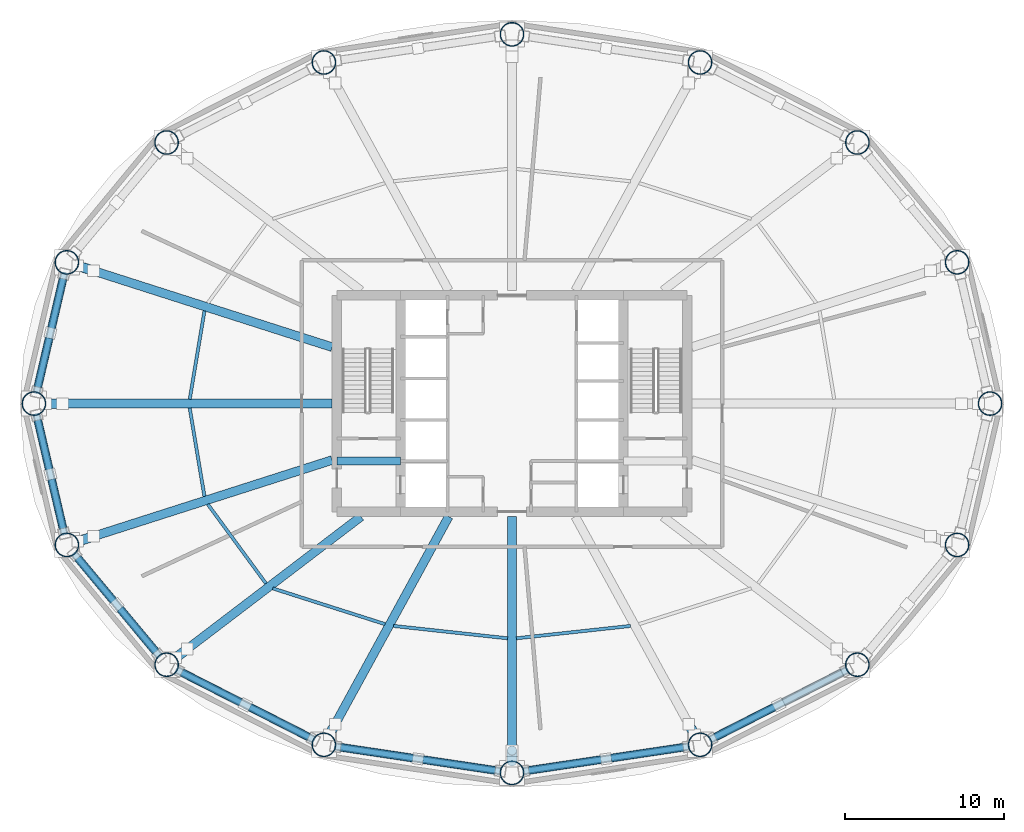
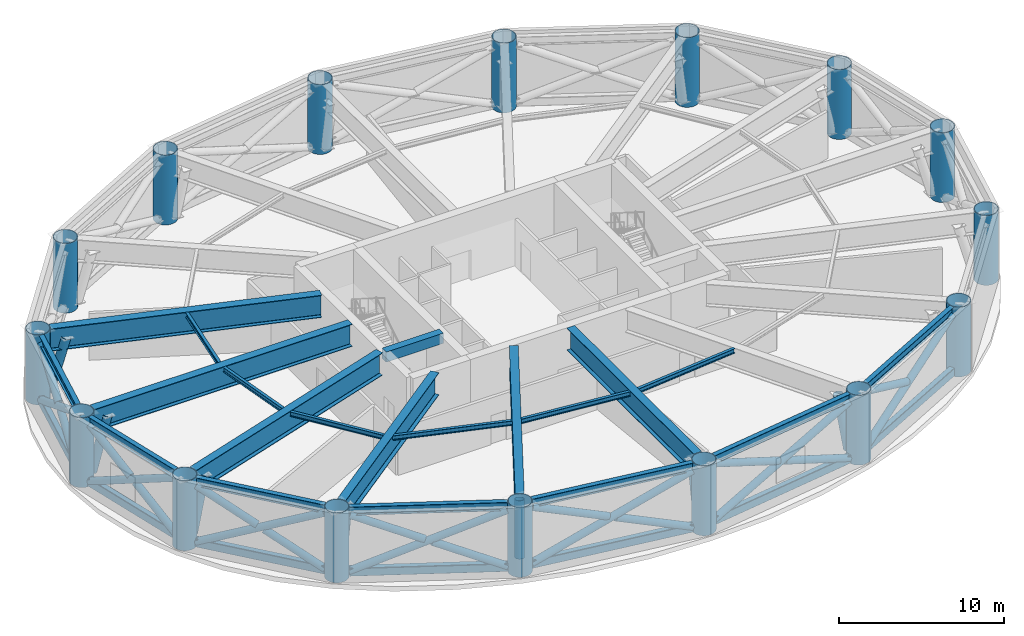
# One storey, part 1 of 7: 34 members, 20 beams, 16 columns.
"""IFC4 building model written with IfcOpenShell, lengths in metres."""

from ifc_helpers import new_model, si_unit, direction, frame, origin, origin_2d, place, context, subcontext, project, spatial, rectangle, hollow_rectangle, hollow_circle, i_section, extrude, material, material_profile, profile_set, type_object, element, save


model = new_model("IFC4")

# Units and contexts
model_context = context("Model", 3, precision=1e-05, world=origin(), true_north=direction((0.0, 1.0)))
body_context = subcontext(model_context, "Body", "Model", "MODEL_VIEW")
ifc_project = project(units=[si_unit("LENGTHUNIT", "METRE"), si_unit("AREAUNIT", "SQUARE_METRE"), si_unit("VOLUMEUNIT", "CUBIC_METRE"), si_unit("PLANEANGLEUNIT", "RADIAN"), si_unit("MASSUNIT", "GRAM", prefix="KILO")], contexts=[model_context])

# Site, building, storey
site_placement = place(None, origin())
site = spatial("IfcSite", under=ifc_project, at=site_placement, CompositionType="ELEMENT")
building_placement = place(site_placement, origin())
building = spatial("IfcBuilding", under=site, at=building_placement, Name="Sarneth Arch Tower", CompositionType="ELEMENT")
storey_placement = place(building_placement, frame((0.0, 0.0, 78.60009765625)))
storey = spatial("IfcBuildingStorey", under=building, at=storey_placement, Name="L19", CompositionType="ELEMENT", Elevation=78.60009765625)

# Columns
ifc_material_1 = material(Name="Steel S355", Category="steel")
ifc_material_profile_1 = material_profile(ifc_material_1, hollow_circle(Radius=0.75, WallThickness=0.0400390625, at=origin_2d()), Name="CHS1500x40")
ifc_profile_set_1 = profile_set([ifc_material_profile_1], Name="Steel S355")
column_type = type_object("IfcColumnType", Name="COL-MEGA-1500", PredefinedType="COLUMN", material=ifc_profile_set_1)
for number, where, z_axis, x_axis, name in (
    (1, (78.034912109375, 42.0, 0.0), (0.0, 0.0, 1.0), (1.0, 0.0, 0.0), "L19 Perimeter mega-column M01"),
    (2, (75.965576171875, 50.878173828125, 0.0), (0.0, 0.0, 1.0), (1.0, 0.0, 0.0), "L19 Perimeter mega-column M02"),
    (3, (69.696533203125, 58.40478515625, 0.0), (0.0, 0.0, 1.0), (1.0, 0.0, 0.0), "L19 Perimeter mega-column M03"),
    (4, (59.81787109375, 63.43408203125, 0.0), (0.0, 0.0, 1.0), (1.0, 0.0, 0.0), "L19 Perimeter mega-column M04"),
    (5, (48.0, 65.199951171875, 0.0), (0.0, 0.0, 1.0), (1.0, 0.0, 0.0), "L19 Perimeter mega-column M05"),
    (6, (36.18212890625, 63.43408203125, 0.0), (0.0, 0.0, 1.0), (1.0, 0.0, 0.0), "L19 Perimeter mega-column M06"),
    (7, (26.303466796875, 58.40478515625, 0.0), (0.0, 0.0, 1.0), (1.0, 0.0, 0.0), "L19 Perimeter mega-column M07"),
    (8, (20.034423828125, 50.878173828125, 0.0), (0.0, 0.0, 1.0), (1.0, 0.0, 0.0), "L19 Perimeter mega-column M08"),
    (9, (17.965087890625, 42.0, 0.0), (0.0, 0.0, 1.0), (1.0, 0.0, 0.0), "L19 Perimeter mega-column M09"),
    (10, (20.034423828125, 33.121826171875, 0.0), (0.0, 0.0, 1.0), (1.0, 0.0, 0.0), "L19 Perimeter mega-column M10"),
    (11, (26.303466796875, 25.59521484375, 0.0), (0.0, 0.0, 1.0), (1.0, 0.0, 0.0), "L19 Perimeter mega-column M11"),
    (12, (36.18212890625, 20.56591796875, 0.0), (0.0, 0.0, 1.0), (1.0, 0.0, 0.0), "L19 Perimeter mega-column M12"),
    (13, (48.0, 18.800048828125, 0.0), (0.0, 0.0, 1.0), (1.0, 0.0, 0.0), "L19 Perimeter mega-column M13"),
    (14, (59.81787109375, 20.56591796875, 0.0), (0.0, 0.0, 1.0), (1.0, 0.0, 0.0), "L19 Perimeter mega-column M14"),
    (15, (69.696533203125, 25.59521484375, 0.0), (0.0, 0.0, 1.0), (1.0, 0.0, 0.0), "L19 Perimeter mega-column M15"),
    (16, (75.965576171875, 33.121826171875, 0.0), (0.0, 0.0, 1.0), (1.0, 0.0, 0.0), "L19 Perimeter mega-column M16"),
):
    element("IfcColumn", number, at=place(storey_placement, frame(where, z_axis=z_axis, x_axis=x_axis)), inside=storey, type_object=column_type, Name=name, PredefinedType="COLUMN", context=body_context, shape_type="SweptSolid", body=[
        extrude(hollow_circle(Radius=0.75, WallThickness=0.0400390625, at=origin_2d()), origin(), (0.0, 0.0, 1.0), 5.14990234375),
    ])

# Beams
ifc_material_2 = material(Name="Steel S355", Category="steel")
ifc_material_profile_2 = material_profile(ifc_material_2, i_section(OverallWidth=0.202880859375, OverallDepth=0.346923828125, WebThickness=0.0078125, FlangeThickness=0.013427734375, FilletRadius=0.014892578125, at=origin_2d()), Name="W360x64")
ifc_profile_set_2 = profile_set([ifc_material_profile_2], Name="Steel S355")
beam_type_1 = type_object("IfcBeamType", Name="BM-JOIST-360C", PredefinedType="JOIST", material=ifc_profile_set_2)
for number, where, z_axis, x_axis, name in (
    (17, (28.67919921875, 47.826416015625, 4.976318359375), (-0.164469283922, -0.986382205155, 0.0), (0.986382205155, -0.164469283922, 0.0), "L19 Secondary floor joist 08"),
    (18, (27.7529296875, 41.728759765625, 4.976318359375), (0.164469283922, -0.986382205155, 0.0), (0.986382205155, 0.164469283922, 0.0), "L19 Secondary floor joist 09"),
):
    element("IfcBeam", number, at=place(storey_placement, frame(where, z_axis=z_axis, x_axis=x_axis)), inside=storey, type_object=beam_type_1, Name=name, PredefinedType="JOIST", context=body_context, shape_type="SweptSolid", body=[
        extrude(i_section(OverallWidth=0.202880859375, OverallDepth=0.346923828125, WebThickness=0.0078125, FlangeThickness=0.013427734375, FilletRadius=0.014892578125, at=origin_2d()), origin(), (0.0, 0.0, 1.0), 5.6318359375),
    ])
beam_1_placement = place(storey_placement, frame((28.886962890625, 35.6806640625, 4.976318359375), z_axis=(0.59154342723, -0.806273138397, 0.0), x_axis=(0.806273138397, 0.59154342723, 0.0)))
element("IfcBeam", 19, at=beam_1_placement, inside=storey, type_object=beam_type_1, Name="L19 Secondary floor joist 10", PredefinedType="JOIST", context=body_context, shape_type="SweptSolid", body=[
    extrude(i_section(OverallWidth=0.202880859375, OverallDepth=0.346923828125, WebThickness=0.0078125, FlangeThickness=0.013427734375, FilletRadius=0.014892578125, at=origin_2d()), origin(), (0.0, 0.0, 1.0), 6.181640625),
])
beam_2_placement = place(storey_placement, frame((32.968505859375, 30.391357421875, 4.976318359375), z_axis=(0.952846465824, -0.303452817695, 0.0), x_axis=(0.303452817695, 0.952846465824, 0.0)))
element("IfcBeam", 20, at=beam_2_placement, inside=storey, type_object=beam_type_1, Name="L19 Secondary floor joist 11", PredefinedType="JOIST", context=body_context, shape_type="SweptSolid", body=[
    extrude(i_section(OverallWidth=0.202880859375, OverallDepth=0.346923828125, WebThickness=0.0078125, FlangeThickness=0.013427734375, FilletRadius=0.014892578125, at=origin_2d()), origin(), (0.0, 0.0, 1.0), 7.40087890625),
])
for number, where, z_axis, x_axis, name in (
    (21, (40.55615234375, 28.0322265625, 4.976318359375), (0.994171309858, -0.107811904048, 0.0), (0.107811904048, 0.994171309858, 0.0), "L19 Secondary floor joist 12"),
    (22, (48.2734375, 27.254638671875, 4.976318359375), (0.994171309858, 0.107811904048, 0.0), (-0.107811904048, 0.994171309858, 0.0), "L19 Secondary floor joist 13"),
):
    element("IfcBeam", number, at=place(storey_placement, frame(where, z_axis=z_axis, x_axis=x_axis)), inside=storey, type_object=beam_type_1, Name=name, PredefinedType="JOIST", context=body_context, shape_type="SweptSolid", body=[
        extrude(i_section(OverallWidth=0.202880859375, OverallDepth=0.346923828125, WebThickness=0.0078125, FlangeThickness=0.013427734375, FilletRadius=0.014892578125, at=origin_2d()), origin(), (0.0, 0.0, 1.0), 7.21240234375),
    ])
ifc_material_3 = material(Name="Concrete C50/60", Category="concrete")
ifc_material_profile_3 = material_profile(ifc_material_3, rectangle(XDim=0.5, YDim=0.75, at=origin_2d()), Name="RC-500x750")
ifc_profile_set_3 = profile_set([ifc_material_profile_3], Name="Concrete C50/60")
beam_type_2 = type_object("IfcBeamType", Name="BM-LINTEL-RC", PredefinedType="LINTEL", material=ifc_profile_set_3)
beam_3_placement = place(storey_placement, frame((37.0, 38.39990234375, 4.77490234375), z_axis=(1.0, 0.0, 0.0), x_axis=(0.0, 1.0, 0.0)))
element("IfcBeam", 23, at=beam_3_placement, inside=storey, type_object=beam_type_2, Name="L19 Core coupling lintel W", PredefinedType="LINTEL", context=body_context, shape_type="SweptSolid", body=[
    extrude(rectangle(XDim=0.5, YDim=0.75, at=origin_2d()), origin(), (0.0, 0.0, 1.0), 4.0),
])
ifc_material_4 = material(Name="Steel S355", Category="steel")
ifc_material_profile_4 = material_profile(ifc_material_4, i_section(OverallWidth=0.326904296875, OverallDepth=0.6220703125, WebThickness=0.015380859375, FlangeThickness=0.0244140625, FilletRadius=0.01904296875, at=origin_2d()), Name="W610x195")
ifc_profile_set_4 = profile_set([ifc_material_profile_4], Name="Steel S355")
beam_type_3 = type_object("IfcBeamType", Name="BM-SPAN-610A", PredefinedType="SPANDREL", material=ifc_profile_set_4)
for number, where, z_axis, x_axis, name in (
    (24, (19.8642578125, 50.14794921875, 4.8388671875), (-0.226982354826, -0.973898870827, 0.0), (0.973898870827, -0.226982354826, 0.0), "L19 Perimeter spandrel beam 08"),
    (25, (18.135498046875, 41.26953125, 4.8388671875), (0.226982354826, -0.973898870827, 0.0), (0.973898870827, 0.226982354826, 0.0), "L19 Perimeter spandrel beam 09"),
):
    element("IfcBeam", number, at=place(storey_placement, frame(where, z_axis=z_axis, x_axis=x_axis)), inside=storey, type_object=beam_type_3, Name=name, PredefinedType="SPANDREL", context=body_context, shape_type="SweptSolid", body=[
        extrude(i_section(OverallWidth=0.326904296875, OverallDepth=0.6220703125, WebThickness=0.015380859375, FlangeThickness=0.0244140625, FilletRadius=0.01904296875, at=origin_2d()), origin(), (0.0, 0.0, 1.0), 7.6162109375),
    ])
beam_4_placement = place(storey_placement, frame((20.514404296875, 32.54541015625, 4.8388671875), z_axis=(0.639981736251, -0.768390120489, 0.0), x_axis=(0.768390120489, 0.639981736251, 0.0)))
element("IfcBeam", 26, at=beam_4_placement, inside=storey, type_object=beam_type_3, Name="L19 Perimeter spandrel beam 10", PredefinedType="SPANDREL", context=body_context, shape_type="SweptSolid", body=[
    extrude(i_section(OverallWidth=0.326904296875, OverallDepth=0.6220703125, WebThickness=0.015380859375, FlangeThickness=0.0244140625, FilletRadius=0.01904296875, at=origin_2d()), origin(), (0.0, 0.0, 1.0), 8.29541015625),
])
beam_5_placement = place(storey_placement, frame((26.9716796875, 25.2548828125, 4.8388671875), z_axis=(0.891169106887, -0.453671271882, 0.0), x_axis=(0.453671271882, 0.891169106887, 0.0)))
element("IfcBeam", 27, at=beam_5_placement, inside=storey, type_object=beam_type_3, Name="L19 Perimeter spandrel beam 11", PredefinedType="SPANDREL", context=body_context, shape_type="SweptSolid", body=[
    extrude(i_section(OverallWidth=0.326904296875, OverallDepth=0.6220703125, WebThickness=0.015380859375, FlangeThickness=0.0244140625, FilletRadius=0.01904296875, at=origin_2d()), origin(), (0.0, 0.0, 1.0), 9.58544921875),
])
for number, where, z_axis, x_axis, name in (
    (28, (36.923828125, 20.455078125, 4.8388671875), (0.989020169581, -0.147780594675, 0.0), (0.147780594675, 0.989020169581, 0.0), "L19 Perimeter spandrel beam 12"),
    (29, (48.74169921875, 18.910888671875, 4.8388671875), (0.989020169581, 0.147780594675, 0.0), (-0.147780594675, 0.989020169581, 0.0), "L19 Perimeter spandrel beam 13"),
):
    element("IfcBeam", number, at=place(storey_placement, frame(where, z_axis=z_axis, x_axis=x_axis)), inside=storey, type_object=beam_type_3, Name=name, PredefinedType="SPANDREL", context=body_context, shape_type="SweptSolid", body=[
        extrude(i_section(OverallWidth=0.326904296875, OverallDepth=0.6220703125, WebThickness=0.015380859375, FlangeThickness=0.0244140625, FilletRadius=0.01904296875, at=origin_2d()), origin(), (0.0, 0.0, 1.0), 10.44921875),
    ])
beam_6_placement = place(storey_placement, frame((60.486083984375, 20.90625, 4.8388671875), z_axis=(0.891169106887, 0.453671271882, 0.0), x_axis=(-0.453671271882, 0.891169106887, 0.0)))
element("IfcBeam", 30, at=beam_6_placement, inside=storey, type_object=beam_type_3, Name="L19 Perimeter spandrel beam 14", PredefinedType="SPANDREL", context=body_context, shape_type="SweptSolid", body=[
    extrude(i_section(OverallWidth=0.326904296875, OverallDepth=0.6220703125, WebThickness=0.015380859375, FlangeThickness=0.0244140625, FilletRadius=0.01904296875, at=origin_2d()), origin(), (0.0, 0.0, 1.0), 9.58544921875),
])
ifc_material_5 = material(Name="Steel S355", Category="steel")
ifc_material_profile_5 = material_profile(ifc_material_5, i_section(OverallWidth=0.550048828125, OverallDepth=1.64990234375, WebThickness=0.02197265625, FlangeThickness=0.0380859375, FilletRadius=0.02392578125, at=origin_2d()), Name="CVS1650x680")
ifc_profile_set_5 = profile_set([ifc_material_profile_5], Name="Steel S355")
beam_type_4 = type_object("IfcBeamType", Name="BM-XFER-1650", PredefinedType="BEAM", material=ifc_profile_set_5)
beam_7_placement = place(storey_placement, frame((36.699951171875, 45.54541015625, 4.324951171875), z_axis=(-0.952426347531, 0.304768850983, 0.0), x_axis=(-0.304768850983, -0.952426347531, 0.0)))
element("IfcBeam", 31, at=beam_7_placement, inside=storey, type_object=beam_type_4, Name="L19 Step-taper transfer girder 08", PredefinedType="BEAM", context=body_context, shape_type="SweptSolid", body=[
    extrude(i_section(OverallWidth=0.550048828125, OverallDepth=1.64990234375, WebThickness=0.02197265625, FlangeThickness=0.0380859375, FilletRadius=0.02392578125, at=origin_2d()), origin(), (0.0, 0.0, 1.0), 16.748046875),
])
beam_8_placement = place(storey_placement, frame((36.699951171875, 42.0, 4.324951171875), z_axis=(-1.0, 0.0, 0.0), x_axis=(0.0, -1.0, 0.0)))
element("IfcBeam", 32, at=beam_8_placement, inside=storey, type_object=beam_type_4, Name="L19 Step-taper transfer girder 09", PredefinedType="BEAM", context=body_context, shape_type="SweptSolid", body=[
    extrude(i_section(OverallWidth=0.550048828125, OverallDepth=1.64990234375, WebThickness=0.02197265625, FlangeThickness=0.0380859375, FilletRadius=0.02392578125, at=origin_2d()), origin(), (0.0, 0.0, 1.0), 17.98486328125),
])
beam_9_placement = place(storey_placement, frame((36.699951171875, 38.45458984375, 4.324951171875), z_axis=(-0.952426347531, -0.304768850983, 0.0), x_axis=(0.304768850983, -0.952426347531, 0.0)))
element("IfcBeam", 33, at=beam_9_placement, inside=storey, type_object=beam_type_4, Name="L19 Step-taper transfer girder 10", PredefinedType="BEAM", context=body_context, shape_type="SweptSolid", body=[
    extrude(i_section(OverallWidth=0.550048828125, OverallDepth=1.64990234375, WebThickness=0.02197265625, FlangeThickness=0.0380859375, FilletRadius=0.02392578125, at=origin_2d()), origin(), (0.0, 0.0, 1.0), 16.748046875),
])
beam_10_placement = place(storey_placement, frame((38.512939453125, 34.89990234375, 4.324951171875), z_axis=(-0.79536339196, -0.606132885373, 0.0), x_axis=(0.606132885373, -0.79536339196, 0.0)))
element("IfcBeam", 34, at=beam_10_placement, inside=storey, type_object=beam_type_4, Name="L19 Step-taper transfer girder 11", PredefinedType="BEAM", context=body_context, shape_type="SweptSolid", body=[
    extrude(i_section(OverallWidth=0.550048828125, OverallDepth=1.64990234375, WebThickness=0.02197265625, FlangeThickness=0.0380859375, FilletRadius=0.02392578125, at=origin_2d()), origin(), (0.0, 0.0, 1.0), 14.600830078125),
])
beam_11_placement = place(storey_placement, frame((44.023193359375, 34.89990234375, 4.324951171875), z_axis=(-0.479917263034, -0.87731375268, 0.0), x_axis=(0.87731375268, -0.479917263034, 0.0)))
element("IfcBeam", 35, at=beam_11_placement, inside=storey, type_object=beam_type_4, Name="L19 Step-taper transfer girder 12", PredefinedType="BEAM", context=body_context, shape_type="SweptSolid", body=[
    extrude(i_section(OverallWidth=0.550048828125, OverallDepth=1.64990234375, WebThickness=0.02197265625, FlangeThickness=0.0380859375, FilletRadius=0.02392578125, at=origin_2d()), origin(), (0.0, 0.0, 1.0), 15.588623046875),
])
beam_12_placement = place(storey_placement, frame((48.0, 34.89990234375, 4.324951171875), z_axis=(0.0, -1.0, 0.0), x_axis=(1.0, 0.0, 0.0)))
element("IfcBeam", 36, at=beam_12_placement, inside=storey, type_object=beam_type_4, Name="L19 Step-taper transfer girder 13", PredefinedType="BEAM", context=body_context, shape_type="SweptSolid", body=[
    extrude(i_section(OverallWidth=0.550048828125, OverallDepth=1.64990234375, WebThickness=0.02197265625, FlangeThickness=0.0380859375, FilletRadius=0.02392578125, at=origin_2d()), origin(), (0.0, 0.0, 1.0), 15.349853515625),
])

# Members
ifc_material_6 = material(Name="Steel S355", Category="steel")
ifc_material_profile_6 = material_profile(ifc_material_6, hollow_rectangle(XDim=0.39990234375, YDim=0.60009765625, WallThickness=0.02197265625, InnerFilletRadius=0.032958984375, OuterFilletRadius=0.054931640625, at=origin_2d()), Name="RHS600x400x22")
ifc_profile_set_6 = profile_set([ifc_material_profile_6], Name="Steel S355")
member_type_1 = type_object("IfcMemberType", Name="MEM-BELT-CHORD", PredefinedType="CHORD", material=ifc_profile_set_6)
for number, where, z_axis, x_axis, name in (
    (37, (19.8642578125, 50.14794921875, 0.349853515625), (-0.226982354826, -0.973898870827, 0.0), (0.973898870827, -0.226982354826, 0.0), "L19 Ring belt bottom chord 08"),
    (38, (18.135498046875, 41.26953125, 0.349853515625), (0.226982354826, -0.973898870827, 0.0), (0.973898870827, 0.226982354826, 0.0), "L19 Ring belt bottom chord 09"),
):
    element("IfcMember", number, at=place(storey_placement, frame(where, z_axis=z_axis, x_axis=x_axis)), inside=storey, type_object=member_type_1, Name=name, PredefinedType="CHORD", context=body_context, shape_type="SweptSolid", body=[
        extrude(hollow_rectangle(XDim=0.39990234375, YDim=0.60009765625, WallThickness=0.02197265625, InnerFilletRadius=0.032958984375, OuterFilletRadius=0.054931640625, at=origin_2d()), origin(), (0.0, 0.0, 1.0), 7.6162109375),
    ])
member_1_placement = place(storey_placement, frame((20.514404296875, 32.54541015625, 0.349853515625), z_axis=(0.639981736251, -0.768390120489, 0.0), x_axis=(0.768390120489, 0.639981736251, 0.0)))
element("IfcMember", 39, at=member_1_placement, inside=storey, type_object=member_type_1, Name="L19 Ring belt bottom chord 10", PredefinedType="CHORD", context=body_context, shape_type="SweptSolid", body=[
    extrude(hollow_rectangle(XDim=0.39990234375, YDim=0.60009765625, WallThickness=0.02197265625, InnerFilletRadius=0.032958984375, OuterFilletRadius=0.054931640625, at=origin_2d()), origin(), (0.0, 0.0, 1.0), 8.29541015625),
])
member_2_placement = place(storey_placement, frame((26.9716796875, 25.2548828125, 0.349853515625), z_axis=(0.891169106887, -0.453671271882, 0.0), x_axis=(0.453671271882, 0.891169106887, 0.0)))
element("IfcMember", 40, at=member_2_placement, inside=storey, type_object=member_type_1, Name="L19 Ring belt bottom chord 11", PredefinedType="CHORD", context=body_context, shape_type="SweptSolid", body=[
    extrude(hollow_rectangle(XDim=0.39990234375, YDim=0.60009765625, WallThickness=0.02197265625, InnerFilletRadius=0.032958984375, OuterFilletRadius=0.054931640625, at=origin_2d()), origin(), (0.0, 0.0, 1.0), 9.58544921875),
])
for number, where, z_axis, x_axis, name in (
    (41, (36.923828125, 20.455078125, 0.349853515625), (0.989020169581, -0.147780594675, 0.0), (0.147780594675, 0.989020169581, 0.0), "L19 Ring belt bottom chord 12"),
    (42, (48.74169921875, 18.910888671875, 0.349853515625), (0.989020169581, 0.147780594675, 0.0), (-0.147780594675, 0.989020169581, 0.0), "L19 Ring belt bottom chord 13"),
):
    element("IfcMember", number, at=place(storey_placement, frame(where, z_axis=z_axis, x_axis=x_axis)), inside=storey, type_object=member_type_1, Name=name, PredefinedType="CHORD", context=body_context, shape_type="SweptSolid", body=[
        extrude(hollow_rectangle(XDim=0.39990234375, YDim=0.60009765625, WallThickness=0.02197265625, InnerFilletRadius=0.032958984375, OuterFilletRadius=0.054931640625, at=origin_2d()), origin(), (0.0, 0.0, 1.0), 10.44921875),
    ])
member_3_placement = place(storey_placement, frame((60.486083984375, 20.90625, 0.349853515625), z_axis=(0.891169106887, 0.453671271882, 0.0), x_axis=(-0.453671271882, 0.891169106887, 0.0)))
element("IfcMember", 43, at=member_3_placement, inside=storey, type_object=member_type_1, Name="L19 Ring belt bottom chord 14", PredefinedType="CHORD", context=body_context, shape_type="SweptSolid", body=[
    extrude(hollow_rectangle(XDim=0.39990234375, YDim=0.60009765625, WallThickness=0.02197265625, InnerFilletRadius=0.032958984375, OuterFilletRadius=0.054931640625, at=origin_2d()), origin(), (0.0, 0.0, 1.0), 9.58544921875),
])
ifc_material_7 = material(Name="Steel S355", Category="steel")
ifc_material_profile_7 = material_profile(ifc_material_7, hollow_circle(Radius=0.304931640625, WallThickness=0.02001953125, at=origin_2d()), Name="CHS610x20")
ifc_profile_set_7 = profile_set([ifc_material_profile_7], Name="Steel S355")
member_type_2 = type_object("IfcMemberType", Name="MEM-BELT-DIAG1", PredefinedType="BRACE", material=ifc_profile_set_7)
member_4_placement = place(storey_placement, frame((20.729736328125, 50.65576171875, 0.449951171875), z_axis=(0.249154199908, -0.079716917327, 0.965177391861), x_axis=(0.304732636136, 0.952437935234, 0.0)))
element("IfcMember", 44, at=member_4_placement, inside=storey, type_object=member_type_2, Name="L19 Step-taper inclined transfer strut 08", PredefinedType="BRACE", context=body_context, shape_type="SweptSolid", body=[
    extrude(hollow_circle(Radius=0.304931640625, WallThickness=0.02001953125, at=origin_2d()), origin(), (0.0, 0.0, 1.0), 3.92919921875),
])
member_5_placement = place(storey_placement, frame((18.6953125, 42.0, 0.449951171875), z_axis=(0.271093680651, 0.0, 0.962552968055), x_axis=(0.0, 1.0, 0.0)))
element("IfcMember", 45, at=member_5_placement, inside=storey, type_object=member_type_2, Name="L19 Step-taper inclined transfer strut 09", PredefinedType="BRACE", context=body_context, shape_type="SweptSolid", body=[
    extrude(hollow_circle(Radius=0.304931640625, WallThickness=0.02001953125, at=origin_2d()), origin(), (0.0, 0.0, 1.0), 3.93994140625),
])
member_6_placement = place(storey_placement, frame((20.729736328125, 33.34423828125, 0.449951171875), z_axis=(0.249154199908, 0.079716917327, 0.965177391861), x_axis=(-0.304732636136, 0.952437935234, 0.0)))
element("IfcMember", 46, at=member_6_placement, inside=storey, type_object=member_type_2, Name="L19 Step-taper inclined transfer strut 10", PredefinedType="BRACE", context=body_context, shape_type="SweptSolid", body=[
    extrude(hollow_circle(Radius=0.304931640625, WallThickness=0.02001953125, at=origin_2d()), origin(), (0.0, 0.0, 1.0), 3.92919921875),
])
member_7_placement = place(storey_placement, frame((26.884033203125, 26.03759765625, 0.449951171875), z_axis=(0.184239852461, 0.140403041882, 0.972801450757), x_axis=(-0.60612466617, 0.795369655607, 0.0)))
element("IfcMember", 47, at=member_7_placement, inside=storey, type_object=member_type_2, Name="L19 Step-taper inclined transfer strut 11", PredefinedType="BRACE", context=body_context, shape_type="SweptSolid", body=[
    extrude(hollow_circle(Radius=0.304931640625, WallThickness=0.02001953125, at=origin_2d()), origin(), (0.0, 0.0, 1.0), 3.8984375),
])
member_8_placement = place(storey_placement, frame((36.532470703125, 21.20654296875, 0.449951171875), z_axis=(0.092418184178, 0.16891744668, 0.981287814782), x_axis=(-0.877280487813, 0.479978067939, 0.0)))
element("IfcMember", 48, at=member_8_placement, inside=storey, type_object=member_type_2, Name="L19 Step-taper inclined transfer strut 12", PredefinedType="BRACE", context=body_context, shape_type="SweptSolid", body=[
    extrude(hollow_circle(Radius=0.304931640625, WallThickness=0.02001953125, at=origin_2d()), origin(), (0.0, 0.0, 1.0), 3.86474609375),
])
member_9_placement = place(storey_placement, frame((48.0, 19.530029296875, 0.449951171875), z_axis=(0.0, 0.17395168611, 0.984754188059), x_axis=(-1.0, 0.0, 0.0)))
element("IfcMember", 49, at=member_9_placement, inside=storey, type_object=member_type_2, Name="L19 Step-taper inclined transfer strut 13", PredefinedType="BRACE", context=body_context, shape_type="SweptSolid", body=[
    extrude(hollow_circle(Radius=0.304931640625, WallThickness=0.02001953125, at=origin_2d()), origin(), (0.0, 0.0, 1.0), 3.85107421875),
])
member_10_placement = place(storey_placement, frame((59.467529296875, 21.20654296875, 0.449951171875), z_axis=(-0.092418184178, 0.16891744668, 0.981287814782), x_axis=(-0.877280487813, -0.479978067939, 0.0)))
element("IfcMember", 50, at=member_10_placement, inside=storey, type_object=member_type_2, Name="L19 Step-taper inclined transfer strut 14", PredefinedType="BRACE", context=body_context, shape_type="SweptSolid", body=[
    extrude(hollow_circle(Radius=0.304931640625, WallThickness=0.02001953125, at=origin_2d()), origin(), (0.0, 0.0, 1.0), 3.86474609375),
])
ifc_material_8 = material(Name="Steel S355", Category="steel")
ifc_material_profile_8 = material_profile(ifc_material_8, hollow_circle(Radius=0.25390625, WallThickness=0.01611328125, at=origin_2d()), Name="CHS508x16")
ifc_profile_set_8 = profile_set([ifc_material_profile_8], Name="Steel S355")
member_type_3 = type_object("IfcMemberType", Name="MEM-BELT-DIAG2", PredefinedType="BRACE", material=ifc_profile_set_8)
member_11_placement = place(storey_placement, frame((19.8642578125, 50.14794921875, 0.349853515625), z_axis=(-0.19922689821, -0.854810284057, 0.47917431202), x_axis=(0.973898870827, -0.226982354826, 0.0)))
element("IfcMember", 51, at=member_11_placement, inside=storey, type_object=member_type_3, Name="L19 Ring belt continuous diagonal A08", PredefinedType="BRACE", context=body_context, shape_type="SweptSolid", body=[
    extrude(hollow_circle(Radius=0.25390625, WallThickness=0.01611328125, at=origin_2d()), origin(), (0.0, 0.0, 1.0), 8.67724609375),
])
member_12_placement = place(storey_placement, frame((18.135498046875, 42.73046875, 0.349853515625), z_axis=(0.199204566921, 0.854800172505, 0.479201633556), x_axis=(-0.973903901379, 0.226960769473, 0.0)))
element("IfcMember", 52, at=member_12_placement, inside=storey, type_object=member_type_3, Name="L19 Ring belt split diagonal B1-08", PredefinedType="BRACE", context=body_context, shape_type="SweptSolid", body=[
    extrude(hollow_circle(Radius=0.25390625, WallThickness=0.01611328125, at=origin_2d()), origin(), (0.0, 0.0, 1.0), 4.088623046875),
])
member_13_placement = place(storey_placement, frame((19.049560546875, 46.65283203125, 2.548583984375), z_axis=(0.199251739616, 0.854806084608, 0.479171474503), x_axis=(-0.973892367511, 0.227010256383, 0.0)))
element("IfcMember", 53, at=member_13_placement, inside=storey, type_object=member_type_3, Name="L19 Ring belt split diagonal B2-08", PredefinedType="BRACE", context=body_context, shape_type="SweptSolid", body=[
    extrude(hollow_circle(Radius=0.25390625, WallThickness=0.01611328125, at=origin_2d()), origin(), (0.0, 0.0, 1.0), 4.0888671875),
])
member_14_placement = place(storey_placement, frame((18.135498046875, 41.26953125, 0.349853515625), z_axis=(0.19922689821, -0.854810284057, 0.47917431202), x_axis=(0.973898870827, 0.226982354826, 0.0)))
element("IfcMember", 54, at=member_14_placement, inside=storey, type_object=member_type_3, Name="L19 Ring belt continuous diagonal A09", PredefinedType="BRACE", context=body_context, shape_type="SweptSolid", body=[
    extrude(hollow_circle(Radius=0.25390625, WallThickness=0.01611328125, at=origin_2d()), origin(), (0.0, 0.0, 1.0), 8.67724609375),
])
member_15_placement = place(storey_placement, frame((19.8642578125, 33.85205078125, 0.349853515625), z_axis=(-0.199251739616, 0.854806084608, 0.479171474503), x_axis=(-0.973892367511, -0.227010256383, 0.0)))
element("IfcMember", 55, at=member_15_placement, inside=storey, type_object=member_type_3, Name="L19 Ring belt split diagonal B1-09", PredefinedType="BRACE", context=body_context, shape_type="SweptSolid", body=[
    extrude(hollow_circle(Radius=0.25390625, WallThickness=0.01611328125, at=origin_2d()), origin(), (0.0, 0.0, 1.0), 4.0888671875),
])
member_16_placement = place(storey_placement, frame((18.949951171875, 37.774658203125, 2.548583984375), z_axis=(-0.199204566921, 0.854800172505, 0.479201633556), x_axis=(-0.973903901379, -0.226960769473, 0.0)))
element("IfcMember", 56, at=member_16_placement, inside=storey, type_object=member_type_3, Name="L19 Ring belt split diagonal B2-09", PredefinedType="BRACE", context=body_context, shape_type="SweptSolid", body=[
    extrude(hollow_circle(Radius=0.25390625, WallThickness=0.01611328125, at=origin_2d()), origin(), (0.0, 0.0, 1.0), 4.088623046875),
])
member_17_placement = place(storey_placement, frame((20.514404296875, 32.54541015625, 0.349853515625), z_axis=(0.572132320621, -0.686927138504, 0.448102347781), x_axis=(0.768390120489, 0.639981736251, 0.0)))
element("IfcMember", 57, at=member_17_placement, inside=storey, type_object=member_type_3, Name="L19 Ring belt continuous diagonal A10", PredefinedType="BRACE", context=body_context, shape_type="SweptSolid", body=[
    extrude(hollow_circle(Radius=0.25390625, WallThickness=0.01611328125, at=origin_2d()), origin(), (0.0, 0.0, 1.0), 9.279052734375),
])
member_18_placement = place(storey_placement, frame((25.8232421875, 26.17138671875, 0.349853515625), z_axis=(-0.57209438266, 0.686947085381, 0.448120206211), x_axis=(-0.768420127231, -0.639945707124, 0.0)))
element("IfcMember", 58, at=member_18_placement, inside=storey, type_object=member_type_3, Name="L19 Ring belt split diagonal B1-10", PredefinedType="BRACE", context=body_context, shape_type="SweptSolid", body=[
    extrude(hollow_circle(Radius=0.25390625, WallThickness=0.01611328125, at=origin_2d()), origin(), (0.0, 0.0, 1.0), 4.3896484375),
])
member_19_placement = place(storey_placement, frame((23.02587890625, 29.5302734375, 2.541015625), z_axis=(-0.572167914661, 0.686912972301, 0.448078615778), x_axis=(-0.768364050648, -0.640013035548, 0.0)))
element("IfcMember", 59, at=member_19_placement, inside=storey, type_object=member_type_3, Name="L19 Ring belt split diagonal B2-10", PredefinedType="BRACE", context=body_context, shape_type="SweptSolid", body=[
    extrude(hollow_circle(Radius=0.25390625, WallThickness=0.01611328125, at=origin_2d()), origin(), (0.0, 0.0, 1.0), 4.389404296875),
])
member_20_placement = place(storey_placement, frame((26.9716796875, 25.2548828125, 0.349853515625), z_axis=(0.817564175755, -0.416200894525, 0.397951798487), x_axis=(0.453671271882, 0.891169106887, 0.0)))
element("IfcMember", 60, at=member_20_placement, inside=storey, type_object=member_type_3, Name="L19 Ring belt continuous diagonal A11", PredefinedType="BRACE", context=body_context, shape_type="SweptSolid", body=[
    extrude(hollow_circle(Radius=0.25390625, WallThickness=0.01611328125, at=origin_2d()), origin(), (0.0, 0.0, 1.0), 10.448486328125),
])
for number, where, z_axis, x_axis, name in (
    (61, (35.513916015625, 20.90625, 0.349853515625), (-0.817555850033, 0.416213820513, 0.397955384047), (-0.453686130759, -0.891161542459, 0.0), "L19 Ring belt split diagonal B1-11"),
    (62, (31.038330078125, 23.1845703125, 2.5283203125), (-0.817555850033, 0.416213820513, 0.397955384047), (-0.453686130759, -0.891161542459, 0.0), "L19 Ring belt split diagonal B2-11"),
):
    element("IfcMember", number, at=place(storey_placement, frame(where, z_axis=z_axis, x_axis=x_axis)), inside=storey, type_object=member_type_3, Name=name, PredefinedType="BRACE", context=body_context, shape_type="SweptSolid", body=[
        extrude(hollow_circle(Radius=0.25390625, WallThickness=0.01611328125, at=origin_2d()), origin(), (0.0, 0.0, 1.0), 4.97412109375),
    ])
member_21_placement = place(storey_placement, frame((36.923828125, 20.455078125, 0.349853515625), z_axis=(0.918939432826, -0.137309045892, 0.369724958197), x_axis=(0.147780594675, 0.989020169581, 0.0)))
element("IfcMember", 63, at=member_21_placement, inside=storey, type_object=member_type_3, Name="L19 Ring belt continuous diagonal A12", PredefinedType="BRACE", context=body_context, shape_type="SweptSolid", body=[
    extrude(hollow_circle(Radius=0.25390625, WallThickness=0.01611328125, at=origin_2d()), origin(), (0.0, 0.0, 1.0), 11.24609375),
])
for number, where, z_axis, x_axis, name in (
    (64, (47.25830078125, 18.910888671875, 0.349853515625), (-0.918937272921, 0.137313510619, 0.369728668402), (-0.147785634721, -0.989019416478, 0.0), "L19 Ring belt split diagonal B1-12"),
    (65, (41.861328125, 19.71728515625, 2.521240234375), (-0.918937272921, 0.137313510619, 0.369728668402), (-0.147785634721, -0.989019416478, 0.0), "L19 Ring belt split diagonal B2-12"),
):
    element("IfcMember", number, at=place(storey_placement, frame(where, z_axis=z_axis, x_axis=x_axis)), inside=storey, type_object=member_type_3, Name=name, PredefinedType="BRACE", context=body_context, shape_type="SweptSolid", body=[
        extrude(hollow_circle(Radius=0.25390625, WallThickness=0.01611328125, at=origin_2d()), origin(), (0.0, 0.0, 1.0), 5.373046875),
    ])
member_22_placement = place(storey_placement, frame((48.74169921875, 18.910888671875, 0.349853515625), z_axis=(0.918939432826, 0.137309045892, 0.369724958197), x_axis=(-0.147780594675, 0.989020169581, 0.0)))
element("IfcMember", 66, at=member_22_placement, inside=storey, type_object=member_type_3, Name="L19 Ring belt continuous diagonal A13", PredefinedType="BRACE", context=body_context, shape_type="SweptSolid", body=[
    extrude(hollow_circle(Radius=0.25390625, WallThickness=0.01611328125, at=origin_2d()), origin(), (0.0, 0.0, 1.0), 11.24609375),
])
for number, where, z_axis, x_axis, name in (
    (67, (59.076171875, 20.455078125, 0.349853515625), (-0.918937272921, -0.137313510619, 0.369728668402), (0.147785634721, -0.989019416478, 0.0), "L19 Ring belt split diagonal B1-13"),
    (68, (53.67919921875, 19.648681640625, 2.521240234375), (-0.918937272921, -0.137313510619, 0.369728668402), (0.147785634721, -0.989019416478, 0.0), "L19 Ring belt split diagonal B2-13"),
):
    element("IfcMember", number, at=place(storey_placement, frame(where, z_axis=z_axis, x_axis=x_axis)), inside=storey, type_object=member_type_3, Name=name, PredefinedType="BRACE", context=body_context, shape_type="SweptSolid", body=[
        extrude(hollow_circle(Radius=0.25390625, WallThickness=0.01611328125, at=origin_2d()), origin(), (0.0, 0.0, 1.0), 5.373046875),
    ])
member_23_placement = place(storey_placement, frame((60.486083984375, 20.90625, 0.349853515625), z_axis=(0.817564175755, 0.416200894525, 0.397951798487), x_axis=(-0.453671271882, 0.891169106887, 0.0)))
element("IfcMember", 69, at=member_23_placement, inside=storey, type_object=member_type_3, Name="L19 Ring belt continuous diagonal A14", PredefinedType="BRACE", context=body_context, shape_type="SweptSolid", body=[
    extrude(hollow_circle(Radius=0.25390625, WallThickness=0.01611328125, at=origin_2d()), origin(), (0.0, 0.0, 1.0), 10.448486328125),
])
member_24_placement = place(storey_placement, frame((64.552734375, 22.9765625, 2.5283203125), z_axis=(-0.817555850033, -0.416213820513, 0.397955384047), x_axis=(0.453686130759, -0.891161542459, 0.0)))
element("IfcMember", 70, at=member_24_placement, inside=storey, type_object=member_type_3, Name="L19 Ring belt split diagonal B2-14", PredefinedType="BRACE", context=body_context, shape_type="SweptSolid", body=[
    extrude(hollow_circle(Radius=0.25390625, WallThickness=0.01611328125, at=origin_2d()), origin(), (0.0, 0.0, 1.0), 4.97412109375),
])

save(model, "model.ifc")
